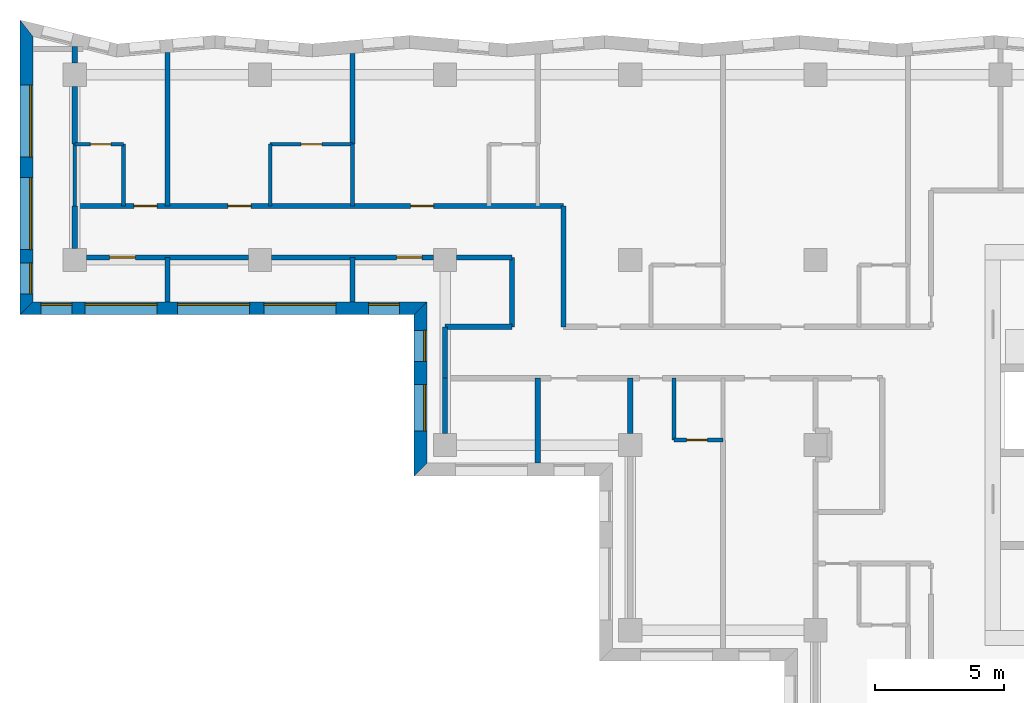
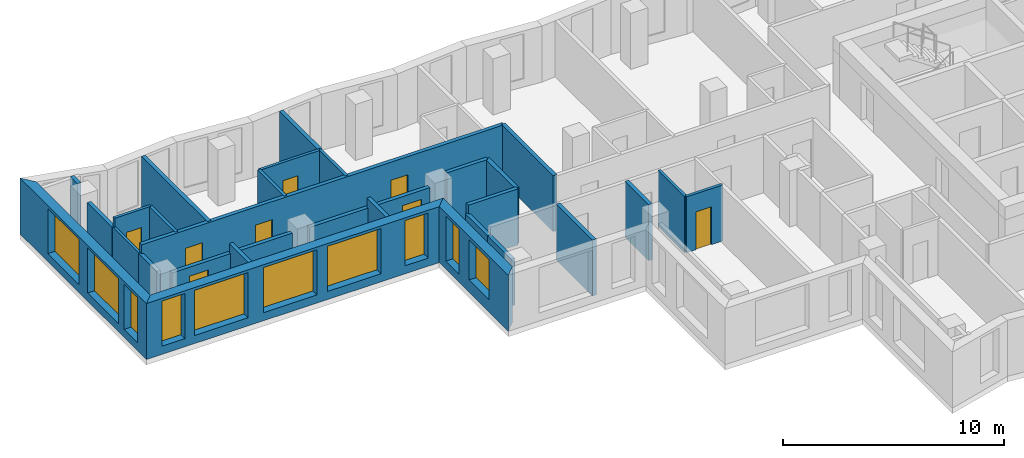
# One storey, part 4 of 12: 29 walls, 10 windows, 8 doors, 18 openings.
"""IFC4 building model written with IfcOpenShell, lengths in metres."""

from ifc_helpers import new_model, si_unit, direction, frame, frame_2d, origin, place, context, subcontext, project, spatial, polyline, rectangle, outline, extrude, material, layer, layer_set, type_object, element, fill, save


model = new_model("IFC4")

# Units and contexts
model_context = context("Model", 3, precision=1e-05, world=origin(), true_north=direction((0.0, 1.0)))
body_context = subcontext(model_context, "Body", "Model", "MODEL_VIEW")
ifc_project = project(units=[si_unit("LENGTHUNIT", "METRE"), si_unit("AREAUNIT", "SQUARE_METRE"), si_unit("VOLUMEUNIT", "CUBIC_METRE"), si_unit("PLANEANGLEUNIT", "RADIAN"), si_unit("MASSUNIT", "GRAM", prefix="KILO")], contexts=[model_context])

# Site, building, storey
site_placement = place(None, origin())
site = spatial("IfcSite", under=ifc_project, at=site_placement, CompositionType="ELEMENT")
building_placement = place(site_placement, origin())
building = spatial("IfcBuilding", under=site, at=building_placement, Name="Windrow Commons", CompositionType="ELEMENT")
storey_placement = place(building_placement, frame((0.0, 0.0, 138.8)))
storey = spatial("IfcBuildingStorey", under=building, at=storey_placement, Name="L37", CompositionType="ELEMENT", Elevation=138.8)

# Wall, openings, windows
ifc_material_1 = material(Name="Brick masonry, red clay brick", Category="masonry")
ifc_layer_1 = layer(ifc_material_1, 0.5)
ifc_layer_set_1 = layer_set([ifc_layer_1], Name="Brick facade wall 500")
wall_type_1 = type_object("IfcWallType", Name="Brick facade wall 500", PredefinedType="SOLIDWALL", material=ifc_layer_set_1)
wall_1_placement = place(storey_placement, frame((19.72, 73.8112, 0.0), z_axis=(0.0, 0.0, 1.0), x_axis=(0.0, -1.0, 0.0)))
wall_1 = element("IfcWall", 1, at=wall_1_placement, inside=storey, type_object=wall_type_1, Name="Brick facade wall L37 35", PredefinedType="SOLIDWALL", context=body_context, shape_type="SweptSolid", body=[
    extrude(outline(polyline([(-0.3188, -0.25), (11.1412, -0.25), (10.6412, 0.25), (0.3188, 0.25), (-0.3188, -0.25)])), origin(), (0.0, 0.0, 1.0), 3.1),
])
opening_1_placement = place(wall_1_placement, frame((2.2112, 0.0, 0.45)))
opening_1 = element("IfcOpeningElement", 2, at=opening_1_placement, cuts=wall_1, Name="Opening W1U", PredefinedType="OPENING", context=body_context, shape_type="SweptSolid", body=[
    extrude(rectangle(XDim=2.8, YDim=2.5, at=frame_2d((1.4, 1.25))), frame((0.0, 0.26, 0.0), z_axis=(0.0, -1.0, 0.0), x_axis=(1.0, 0.0, 0.0)), (0.0, 0.0, 1.0), 0.52),
])
opening_2_placement = place(wall_1_placement, frame((5.8112, 0.0, 0.45)))
opening_2 = element("IfcOpeningElement", 3, at=opening_2_placement, cuts=wall_1, Name="Opening W1U", PredefinedType="OPENING", context=body_context, shape_type="SweptSolid", body=[
    extrude(rectangle(XDim=2.8, YDim=2.5, at=frame_2d((1.4, 1.25))), frame((0.0, 0.26, 0.0), z_axis=(0.0, -1.0, 0.0), x_axis=(1.0, 0.0, 0.0)), (0.0, 0.0, 1.0), 0.52),
])
opening_3_placement = place(wall_1_placement, frame((9.1262, 0.0, 0.45)))
opening_3 = element("IfcOpeningElement", 4, at=opening_3_placement, cuts=wall_1, Name="Opening W7E", PredefinedType="OPENING", context=body_context, shape_type="SweptSolid", body=[
    extrude(rectangle(XDim=1.2, YDim=2.5, at=frame_2d((0.6, 1.25))), frame((0.0, 0.26, 0.0), z_axis=(0.0, -1.0, 0.0), x_axis=(1.0, 0.0, 0.0)), (0.0, 0.0, 1.0), 0.52),
])
ifc_material_2 = material(Name="Clear float glass in anodised aluminium frame", Category="aluminium")
window_type_1 = type_object("IfcWindowType", Name="Window W1U bedroom 2800x2500", PartitioningType="SINGLE_PANEL", PredefinedType="WINDOW", material=ifc_material_2)
window_1_placement = place(opening_1_placement, origin())
window_1 = element("IfcWindow", 5, at=window_1_placement, inside=storey, type_object=window_type_1, Name="Window L37 35.1", OverallHeight=2.5, OverallWidth=2.8, PartitioningType="SINGLE_PANEL", PredefinedType="WINDOW", context=body_context, shape_type="SweptSolid", body=[
    extrude(rectangle(XDim=2.8, YDim=2.5, at=frame_2d((1.4, 1.25))), frame((0.0, 0.18, 0.0), z_axis=(0.0, -1.0, 0.0), x_axis=(1.0, 0.0, 0.0)), (0.0, 0.0, 1.0), 0.06),
])
fill(opening_1, window_1)
window_2_placement = place(opening_2_placement, origin())
window_2 = element("IfcWindow", 6, at=window_2_placement, inside=storey, type_object=window_type_1, Name="Window L37 35.2", OverallHeight=2.5, OverallWidth=2.8, PartitioningType="SINGLE_PANEL", PredefinedType="WINDOW", context=body_context, shape_type="SweptSolid", body=[
    extrude(rectangle(XDim=2.8, YDim=2.5, at=frame_2d((1.4, 1.25))), frame((0.0, 0.18, 0.0), z_axis=(0.0, -1.0, 0.0), x_axis=(1.0, 0.0, 0.0)), (0.0, 0.0, 1.0), 0.06),
])
fill(opening_2, window_2)
ifc_material_3 = material(Name="Clear float glass in anodised aluminium frame", Category="aluminium")
window_type_2 = type_object("IfcWindowType", Name="Window W7 notch 1200x2500", PartitioningType="SINGLE_PANEL", PredefinedType="WINDOW", material=ifc_material_3)
window_3_placement = place(opening_3_placement, origin())
window_3 = element("IfcWindow", 7, at=window_3_placement, inside=storey, type_object=window_type_2, Name="Window L37 35.3", OverallHeight=2.5, OverallWidth=1.2, PartitioningType="SINGLE_PANEL", PredefinedType="WINDOW", context=body_context, shape_type="SweptSolid", body=[
    extrude(rectangle(XDim=1.2, YDim=2.5, at=frame_2d((0.6, 1.25))), frame((0.0, 0.18, 0.0), z_axis=(0.0, -1.0, 0.0), x_axis=(1.0, 0.0, 0.0)), (0.0, 0.0, 1.0), 0.06),
])
fill(opening_3, window_3)

wall_2_placement = place(storey_placement, frame((19.72, 62.92, 0.0), z_axis=(0.0, 0.0, 1.0), x_axis=(1.0, 0.0, 0.0)))
wall_2 = element("IfcWall", 8, at=wall_2_placement, inside=storey, type_object=wall_type_1, Name="Brick facade wall L37 36", PredefinedType="SOLIDWALL", context=body_context, shape_type="SweptSolid", body=[
    extrude(outline(polyline([(-0.25, -0.25), (15.08, -0.25), (15.58, 0.25), (0.25, 0.25), (-0.25, -0.25)])), origin(), (0.0, 0.0, 1.0), 3.1),
])
opening_4_placement = place(wall_2_placement, frame((2.28, 0.0, 0.45)))
opening_4 = element("IfcOpeningElement", 9, at=opening_4_placement, cuts=wall_2, Name="Opening W1U", PredefinedType="OPENING", context=body_context, shape_type="SweptSolid", body=[
    extrude(rectangle(XDim=2.8, YDim=2.5, at=frame_2d((1.4, 1.25))), frame((0.0, 0.26, 0.0), z_axis=(0.0, -1.0, 0.0), x_axis=(1.0, 0.0, 0.0)), (0.0, 0.0, 1.0), 0.52),
])
opening_5_placement = place(wall_2_placement, frame((5.88, 0.0, 0.45)))
opening_5 = element("IfcOpeningElement", 10, at=opening_5_placement, cuts=wall_2, Name="Opening W1U", PredefinedType="OPENING", context=body_context, shape_type="SweptSolid", body=[
    extrude(rectangle(XDim=2.8, YDim=2.5, at=frame_2d((1.4, 1.25))), frame((0.0, 0.26, 0.0), z_axis=(0.0, -1.0, 0.0), x_axis=(1.0, 0.0, 0.0)), (0.0, 0.0, 1.0), 0.52),
])
opening_6_placement = place(wall_2_placement, frame((9.23, 0.0, 0.45)))
opening_6 = element("IfcOpeningElement", 11, at=opening_6_placement, cuts=wall_2, Name="Opening W1U", PredefinedType="OPENING", context=body_context, shape_type="SweptSolid", body=[
    extrude(rectangle(XDim=2.8, YDim=2.5, at=frame_2d((1.4, 1.25))), frame((0.0, 0.26, 0.0), z_axis=(0.0, -1.0, 0.0), x_axis=(1.0, 0.0, 0.0)), (0.0, 0.0, 1.0), 0.52),
])
opening_7_placement = place(wall_2_placement, frame((0.565, 0.0, 0.45)))
opening_7 = element("IfcOpeningElement", 12, at=opening_7_placement, cuts=wall_2, Name="Opening W7E", PredefinedType="OPENING", context=body_context, shape_type="SweptSolid", body=[
    extrude(rectangle(XDim=1.2, YDim=2.5, at=frame_2d((0.6, 1.25))), frame((0.0, 0.26, 0.0), z_axis=(0.0, -1.0, 0.0), x_axis=(1.0, 0.0, 0.0)), (0.0, 0.0, 1.0), 0.52),
])
opening_8_placement = place(wall_2_placement, frame((13.305, 0.0, 0.45)))
opening_8 = element("IfcOpeningElement", 13, at=opening_8_placement, cuts=wall_2, Name="Opening W7E", PredefinedType="OPENING", context=body_context, shape_type="SweptSolid", body=[
    extrude(rectangle(XDim=1.2, YDim=2.5, at=frame_2d((0.6, 1.25))), frame((0.0, 0.26, 0.0), z_axis=(0.0, -1.0, 0.0), x_axis=(1.0, 0.0, 0.0)), (0.0, 0.0, 1.0), 0.52),
])
window_4_placement = place(opening_4_placement, origin())
window_4 = element("IfcWindow", 14, at=window_4_placement, inside=storey, type_object=window_type_1, Name="Window L37 36.1", OverallHeight=2.5, OverallWidth=2.8, PartitioningType="SINGLE_PANEL", PredefinedType="WINDOW", context=body_context, shape_type="SweptSolid", body=[
    extrude(rectangle(XDim=2.8, YDim=2.5, at=frame_2d((1.4, 1.25))), frame((0.0, 0.18, 0.0), z_axis=(0.0, -1.0, 0.0), x_axis=(1.0, 0.0, 0.0)), (0.0, 0.0, 1.0), 0.06),
])
fill(opening_4, window_4)
window_5_placement = place(opening_5_placement, origin())
window_5 = element("IfcWindow", 15, at=window_5_placement, inside=storey, type_object=window_type_1, Name="Window L37 36.2", OverallHeight=2.5, OverallWidth=2.8, PartitioningType="SINGLE_PANEL", PredefinedType="WINDOW", context=body_context, shape_type="SweptSolid", body=[
    extrude(rectangle(XDim=2.8, YDim=2.5, at=frame_2d((1.4, 1.25))), frame((0.0, 0.18, 0.0), z_axis=(0.0, -1.0, 0.0), x_axis=(1.0, 0.0, 0.0)), (0.0, 0.0, 1.0), 0.06),
])
fill(opening_5, window_5)
window_6_placement = place(opening_6_placement, origin())
window_6 = element("IfcWindow", 16, at=window_6_placement, inside=storey, type_object=window_type_1, Name="Window L37 36.3", OverallHeight=2.5, OverallWidth=2.8, PartitioningType="SINGLE_PANEL", PredefinedType="WINDOW", context=body_context, shape_type="SweptSolid", body=[
    extrude(rectangle(XDim=2.8, YDim=2.5, at=frame_2d((1.4, 1.25))), frame((0.0, 0.18, 0.0), z_axis=(0.0, -1.0, 0.0), x_axis=(1.0, 0.0, 0.0)), (0.0, 0.0, 1.0), 0.06),
])
fill(opening_6, window_6)
window_7_placement = place(opening_7_placement, origin())
window_7 = element("IfcWindow", 17, at=window_7_placement, inside=storey, type_object=window_type_2, Name="Window L37 36.4", OverallHeight=2.5, OverallWidth=1.2, PartitioningType="SINGLE_PANEL", PredefinedType="WINDOW", context=body_context, shape_type="SweptSolid", body=[
    extrude(rectangle(XDim=1.2, YDim=2.5, at=frame_2d((0.6, 1.25))), frame((0.0, 0.18, 0.0), z_axis=(0.0, -1.0, 0.0), x_axis=(1.0, 0.0, 0.0)), (0.0, 0.0, 1.0), 0.06),
])
fill(opening_7, window_7)
window_8_placement = place(opening_8_placement, origin())
window_8 = element("IfcWindow", 18, at=window_8_placement, inside=storey, type_object=window_type_2, Name="Window L37 36.5", OverallHeight=2.5, OverallWidth=1.2, PartitioningType="SINGLE_PANEL", PredefinedType="WINDOW", context=body_context, shape_type="SweptSolid", body=[
    extrude(rectangle(XDim=1.2, YDim=2.5, at=frame_2d((0.6, 1.25))), frame((0.0, 0.18, 0.0), z_axis=(0.0, -1.0, 0.0), x_axis=(1.0, 0.0, 0.0)), (0.0, 0.0, 1.0), 0.06),
])
fill(opening_8, window_8)

wall_3_placement = place(storey_placement, frame((35.05, 62.92, 0.0), z_axis=(0.0, 0.0, 1.0), x_axis=(0.0, -1.0, 0.0)))
wall_3 = element("IfcWall", 19, at=wall_3_placement, inside=storey, type_object=wall_type_1, Name="Brick facade wall L37 37", PredefinedType="SOLIDWALL", context=body_context, shape_type="SweptSolid", body=[
    extrude(outline(polyline([(0.25, -0.25), (6.52, -0.25), (6.02, 0.25), (-0.25, 0.25), (0.25, -0.25)])), origin(), (0.0, 0.0, 1.0), 3.1),
])
opening_9_placement = place(wall_3_placement, frame((0.86, 0.0, 0.45)))
opening_9 = element("IfcOpeningElement", 20, at=opening_9_placement, cuts=wall_3, Name="Opening W7E", PredefinedType="OPENING", context=body_context, shape_type="SweptSolid", body=[
    extrude(rectangle(XDim=1.2, YDim=2.5, at=frame_2d((0.6, 1.25))), frame((0.0, 0.26, 0.0), z_axis=(0.0, -1.0, 0.0), x_axis=(1.0, 0.0, 0.0)), (0.0, 0.0, 1.0), 0.52),
])
opening_10_placement = place(wall_3_placement, frame((2.97, 0.0, 0.7)))
opening_10 = element("IfcOpeningElement", 21, at=opening_10_placement, cuts=wall_3, Name="Opening W6", PredefinedType="OPENING", context=body_context, shape_type="SweptSolid", body=[
    extrude(rectangle(XDim=1.8, YDim=2.2, at=frame_2d((0.9, 1.1))), frame((0.0, 0.26, 0.0), z_axis=(0.0, -1.0, 0.0), x_axis=(1.0, 0.0, 0.0)), (0.0, 0.0, 1.0), 0.52),
])
ifc_material_4 = material(Name="Clear float glass in anodised aluminium frame", Category="aluminium")
window_type_3 = type_object("IfcWindowType", Name="Window W6 crown 1800x2200", PartitioningType="SINGLE_PANEL", PredefinedType="WINDOW", material=ifc_material_4)
window_9_placement = place(opening_10_placement, origin())
window_9 = element("IfcWindow", 22, at=window_9_placement, inside=storey, type_object=window_type_3, Name="Window L37 37.1A", OverallHeight=2.2, OverallWidth=1.8, PartitioningType="SINGLE_PANEL", PredefinedType="WINDOW", context=body_context, shape_type="SweptSolid", body=[
    extrude(rectangle(XDim=1.8, YDim=2.2, at=frame_2d((0.9, 1.1))), frame((0.0, 0.18, 0.0), z_axis=(0.0, -1.0, 0.0), x_axis=(1.0, 0.0, 0.0)), (0.0, 0.0, 1.0), 0.06),
])
fill(opening_10, window_9)
window_10_placement = place(opening_9_placement, origin())
window_10 = element("IfcWindow", 23, at=window_10_placement, inside=storey, type_object=window_type_2, Name="Window L37 37.2", OverallHeight=2.5, OverallWidth=1.2, PartitioningType="SINGLE_PANEL", PredefinedType="WINDOW", context=body_context, shape_type="SweptSolid", body=[
    extrude(rectangle(XDim=1.2, YDim=2.5, at=frame_2d((0.6, 1.25))), frame((0.0, 0.18, 0.0), z_axis=(0.0, -1.0, 0.0), x_axis=(1.0, 0.0, 0.0)), (0.0, 0.0, 1.0), 0.06),
])
fill(opening_9, window_10)

# Wall, openings, doors
ifc_material_5 = material(Name="Blockwork partition", Category="masonry")
ifc_layer_2 = layer(ifc_material_5, 0.2)
ifc_layer_set_2 = layer_set([ifc_layer_2], Name="IW-CORRIDOR-200")
wall_type_2 = type_object("IfcWallType", Name="IW-CORRIDOR-200", PredefinedType="PARTITIONING", material=ifc_layer_set_2)
wall_4_placement = place(storey_placement, frame((21.6, 66.9, 0.0), z_axis=(0.0, 0.0, 1.0), x_axis=(1.0, 0.0, 0.0)))
wall_4 = element("IfcWall", 24, at=wall_4_placement, inside=storey, type_object=wall_type_2, Name="W-L37-W002", PredefinedType="PARTITIONING", context=body_context, shape_type="SweptSolid", body=[
    extrude(rectangle(XDim=19.0, YDim=0.2, at=frame_2d((9.5, 0.0))), origin(), (0.0, 0.0, 1.0), 3.1),
])
opening_11_placement = place(wall_4_placement, frame((2.3, 0.0, 0.0)))
opening_11 = element("IfcOpeningElement", 25, at=opening_11_placement, cuts=wall_4, Name="Opening D109S", PredefinedType="OPENING", context=body_context, shape_type="SweptSolid", body=[
    extrude(rectangle(XDim=0.9, YDim=2.1, at=frame_2d((0.45, 1.05))), frame((0.0, 0.11, 0.0), z_axis=(0.0, -1.0, 0.0), x_axis=(1.0, 0.0, 0.0)), (0.0, 0.0, 1.0), 0.22),
])
opening_12_placement = place(wall_4_placement, frame((5.957, 0.0, 0.0)))
opening_12 = element("IfcOpeningElement", 26, at=opening_12_placement, cuts=wall_4, Name="Opening D109F", PredefinedType="OPENING", context=body_context, shape_type="SweptSolid", body=[
    extrude(rectangle(XDim=0.9, YDim=2.1, at=frame_2d((0.45, 1.05))), frame((0.0, 0.11, 0.0), z_axis=(0.0, -1.0, 0.0), x_axis=(1.0, 0.0, 0.0)), (0.0, 0.0, 1.0), 0.22),
])
opening_13_placement = place(wall_4_placement, frame((13.0566, 0.0, 0.0)))
opening_13 = element("IfcOpeningElement", 27, at=opening_13_placement, cuts=wall_4, Name="Opening D109F", PredefinedType="OPENING", context=body_context, shape_type="SweptSolid", body=[
    extrude(rectangle(XDim=0.9, YDim=2.1, at=frame_2d((0.45, 1.05))), frame((0.0, 0.11, 0.0), z_axis=(0.0, -1.0, 0.0), x_axis=(1.0, 0.0, 0.0)), (0.0, 0.0, 1.0), 0.22),
])
ifc_material_6 = material(Name="Timber door leaf", Category="wood")
door_type_1 = type_object("IfcDoorType", Name="DT-BEDROOM-900", OperationType="SINGLE_SWING_LEFT", PredefinedType="DOOR", material=ifc_material_6)
door_1_placement = place(opening_11_placement, origin())
door_1 = element("IfcDoor", 28, at=door_1_placement, inside=storey, type_object=door_type_1, Name="D-L37-D003", OperationType="SINGLE_SWING_RIGHT", OverallHeight=2.1, OverallWidth=0.9, PredefinedType="DOOR", context=body_context, shape_type="SweptSolid", body=[
    extrude(rectangle(XDim=0.9, YDim=2.1, at=frame_2d((0.45, 1.05))), frame((0.0, 0.025, 0.0), z_axis=(0.0, -1.0, 0.0), x_axis=(1.0, 0.0, 0.0)), (0.0, 0.0, 1.0), 0.05),
])
fill(opening_11, door_1)
door_2_placement = place(opening_12_placement, origin())
door_2 = element("IfcDoor", 29, at=door_2_placement, inside=storey, type_object=door_type_1, Name="D-L37-D005", OperationType="SINGLE_SWING_LEFT", OverallHeight=2.1, OverallWidth=0.9, PredefinedType="DOOR", context=body_context, shape_type="SweptSolid", body=[
    extrude(rectangle(XDim=0.9, YDim=2.1, at=frame_2d((0.45, 1.05))), frame((0.0, 0.025, 0.0), z_axis=(0.0, -1.0, 0.0), x_axis=(1.0, 0.0, 0.0)), (0.0, 0.0, 1.0), 0.05),
])
fill(opening_12, door_2)
door_3_placement = place(opening_13_placement, origin())
door_3 = element("IfcDoor", 30, at=door_3_placement, inside=storey, type_object=door_type_1, Name="D-L37-D007", OperationType="SINGLE_SWING_LEFT", OverallHeight=2.1, OverallWidth=0.9, PredefinedType="DOOR", context=body_context, shape_type="SweptSolid", body=[
    extrude(rectangle(XDim=0.9, YDim=2.1, at=frame_2d((0.45, 1.05))), frame((0.0, 0.025, 0.0), z_axis=(0.0, -1.0, 0.0), x_axis=(1.0, 0.0, 0.0)), (0.0, 0.0, 1.0), 0.05),
])
fill(opening_13, door_3)

# Wall, opening, door
wall_5_placement = place(storey_placement, frame((22.05, 64.9, 0.0), z_axis=(0.0, 0.0, 1.0), x_axis=(1.0, 0.0, 0.0)))
wall_5 = element("IfcWall", 31, at=wall_5_placement, inside=storey, type_object=wall_type_2, Name="W-L37-W022", PredefinedType="PARTITIONING", context=body_context, shape_type="SweptSolid", body=[
    extrude(rectangle(XDim=6.3, YDim=0.2, at=frame_2d((3.15, 0.0))), origin(), (0.0, 0.0, 1.0), 2.6),
])
opening_14_placement = place(wall_5_placement, frame((0.9038, 0.0, 0.0)))
opening_14 = element("IfcOpeningElement", 32, at=opening_14_placement, cuts=wall_5, Name="Opening D310F", PredefinedType="OPENING", context=body_context, shape_type="SweptSolid", body=[
    extrude(rectangle(XDim=1.0, YDim=2.1, at=frame_2d((0.5, 1.05))), frame((0.0, 0.11, 0.0), z_axis=(0.0, -1.0, 0.0), x_axis=(1.0, 0.0, 0.0)), (0.0, 0.0, 1.0), 0.22),
])
ifc_material_7 = material(Name="Timber door leaf", Category="wood")
door_type_2 = type_object("IfcDoorType", Name="DT-AMENITY-1000", OperationType="SINGLE_SWING_LEFT", PredefinedType="DOOR", material=ifc_material_7)
door_4_placement = place(opening_14_placement, origin())
door_4 = element("IfcDoor", 33, at=door_4_placement, inside=storey, type_object=door_type_2, Name="D-L37-D002", OperationType="SINGLE_SWING_RIGHT", OverallHeight=2.1, OverallWidth=1.0, PredefinedType="DOOR", context=body_context, shape_type="SweptSolid", body=[
    extrude(rectangle(XDim=1.0, YDim=2.1, at=frame_2d((0.5, 1.05))), frame((0.0, 0.025, 0.0), z_axis=(0.0, -1.0, 0.0), x_axis=(1.0, 0.0, 0.0)), (0.0, 0.0, 1.0), 0.05),
])
fill(opening_14, door_4)

wall_6_placement = place(storey_placement, frame((29.25, 64.9, 0.0), z_axis=(0.0, 0.0, 1.0), x_axis=(1.0, 0.0, 0.0)))
wall_6 = element("IfcWall", 34, at=wall_6_placement, inside=storey, type_object=wall_type_2, Name="W-L37-W023", PredefinedType="PARTITIONING", context=body_context, shape_type="SweptSolid", body=[
    extrude(rectangle(XDim=6.3, YDim=0.2, at=frame_2d((3.15, 0.0))), origin(), (0.0, 0.0, 1.0), 2.6),
])
opening_15_placement = place(wall_6_placement, frame((4.8599, 0.0, 0.0)))
opening_15 = element("IfcOpeningElement", 35, at=opening_15_placement, cuts=wall_6, Name="Opening D310F", PredefinedType="OPENING", context=body_context, shape_type="SweptSolid", body=[
    extrude(rectangle(XDim=1.0, YDim=2.1, at=frame_2d((0.5, 1.05))), frame((0.0, 0.11, 0.0), z_axis=(0.0, -1.0, 0.0), x_axis=(1.0, 0.0, 0.0)), (0.0, 0.0, 1.0), 0.22),
])
door_5_placement = place(opening_15_placement, origin())
door_5 = element("IfcDoor", 36, at=door_5_placement, inside=storey, type_object=door_type_2, Name="D-L37-D010", OperationType="SINGLE_SWING_RIGHT", OverallHeight=2.1, OverallWidth=1.0, PredefinedType="DOOR", context=body_context, shape_type="SweptSolid", body=[
    extrude(rectangle(XDim=1.0, YDim=2.1, at=frame_2d((0.5, 1.05))), frame((0.0, 0.025, 0.0), z_axis=(0.0, -1.0, 0.0), x_axis=(1.0, 0.0, 0.0)), (0.0, 0.0, 1.0), 0.05),
])
fill(opening_15, door_5)

# Walls
wall_7_placement = place(storey_placement, frame((40.6, 62.202, 0.0), z_axis=(0.0, 0.0, 1.0), x_axis=(0.0, 1.0, 0.0)))
element("IfcWall", 37, at=wall_7_placement, inside=storey, type_object=wall_type_2, Name="W-L37-W036", PredefinedType="PARTITIONING", context=body_context, shape_type="SweptSolid", body=[
    extrude(rectangle(XDim=4.696, YDim=0.2, at=frame_2d((2.348, 0.0))), origin(), (0.0, 0.0, 1.0), 3.1),
])
wall_8_placement = place(storey_placement, frame((38.6, 62.202, 0.0), z_axis=(0.0, 0.0, 1.0), x_axis=(0.0, 1.0, 0.0)))
element("IfcWall", 38, at=wall_8_placement, inside=storey, type_object=wall_type_2, Name="W-L37-W055", PredefinedType="PARTITIONING", context=body_context, shape_type="SweptSolid", body=[
    extrude(rectangle(XDim=2.698, YDim=0.2, at=frame_2d((1.349, 0.0))), origin(), (0.0, 0.0, 1.0), 3.1),
])
wall_9_placement = place(storey_placement, frame((36.002, 62.2, 0.0), z_axis=(0.0, 0.0, 1.0), x_axis=(1.0, 0.0, 0.0)))
element("IfcWall", 39, at=wall_9_placement, inside=storey, type_object=wall_type_2, Name="W-L37-W059", PredefinedType="PARTITIONING", context=body_context, shape_type="SweptSolid", body=[
    extrude(rectangle(XDim=2.598, YDim=0.2, at=frame_2d((1.299, 0.0))), origin(), (0.0, 0.0, 1.0), 3.1),
])
wall_10_placement = place(storey_placement, frame((36.45, 64.9, 0.0), z_axis=(0.0, 0.0, 1.0), x_axis=(1.0, 0.0, 0.0)))
element("IfcWall", 40, at=wall_10_placement, inside=storey, type_object=wall_type_2, Name="W-L37-W098", PredefinedType="PARTITIONING", context=body_context, shape_type="SweptSolid", body=[
    extrude(rectangle(XDim=2.15, YDim=0.2, at=frame_2d((1.075, 0.0))), origin(), (0.0, 0.0, 1.0), 3.1),
])
wall_11_placement = place(storey_placement, frame((36.0, 60.2, 0.0), z_axis=(0.0, 0.0, 1.0), x_axis=(0.0, 1.0, 0.0)))
element("IfcWall", 41, at=wall_11_placement, inside=storey, type_object=wall_type_2, Name="W-L37-W107", PredefinedType="PARTITIONING", context=body_context, shape_type="SweptSolid", body=[
    extrude(rectangle(XDim=2.0, YDim=0.2, at=frame_2d((1.0, 0.0))), origin(), (0.0, 0.0, 1.0), 2.6),
])
wall_12_placement = place(storey_placement, frame((21.6, 65.25, 0.0), z_axis=(0.0, 0.0, 1.0), x_axis=(0.0, 1.0, 0.0)))
element("IfcWall", 42, at=wall_12_placement, inside=storey, type_object=wall_type_2, Name="W-L37-W136", PredefinedType="PARTITIONING", context=body_context, shape_type="SweptSolid", body=[
    extrude(rectangle(XDim=1.65, YDim=0.2, at=frame_2d((0.825, 0.0))), origin(), (0.0, 0.0, 1.0), 2.6),
])

# Wall, opening, door
ifc_material_8 = material(Name="Blockwork partition", Category="masonry")
ifc_layer_3 = layer(ifc_material_8, 0.15)
ifc_layer_set_3 = layer_set([ifc_layer_3], Name="IW-ENSUITE-150")
wall_type_3 = type_object("IfcWallType", Name="IW-ENSUITE-150", PredefinedType="PARTITIONING", material=ifc_layer_set_3)
wall_13_placement = place(storey_placement, frame((29.2, 69.3, 0.0), z_axis=(0.0, 0.0, 1.0), x_axis=(1.0, 0.0, 0.0)))
wall_13 = element("IfcWall", 43, at=wall_13_placement, inside=storey, type_object=wall_type_3, Name="W-L37-W051", PredefinedType="PARTITIONING", context=body_context, shape_type="SweptSolid", body=[
    extrude(rectangle(XDim=3.2, YDim=0.15, at=frame_2d((1.6, 0.0))), origin(), (0.0, 0.0, 1.0), 3.1),
])
opening_16_placement = place(wall_13_placement, frame((1.2042, 0.0, 0.0)))
opening_16 = element("IfcOpeningElement", 44, at=opening_16_placement, cuts=wall_13, Name="Opening D208N", PredefinedType="OPENING", context=body_context, shape_type="SweptSolid", body=[
    extrude(rectangle(XDim=0.8, YDim=2.1, at=frame_2d((0.4, 1.05))), frame((0.0, 0.085, 0.0), z_axis=(0.0, -1.0, 0.0), x_axis=(1.0, 0.0, 0.0)), (0.0, 0.0, 1.0), 0.17),
])
ifc_material_9 = material(Name="Timber door leaf", Category="wood")
door_type_3 = type_object("IfcDoorType", Name="DT-ENSUITE-800", OperationType="SINGLE_SWING_LEFT", PredefinedType="DOOR", material=ifc_material_9)
door_6_placement = place(opening_16_placement, origin())
door_6 = element("IfcDoor", 45, at=door_6_placement, inside=storey, type_object=door_type_3, Name="D-L37-D006", OperationType="SINGLE_SWING_RIGHT", OverallHeight=2.1, OverallWidth=0.8, PredefinedType="DOOR", context=body_context, shape_type="SweptSolid", body=[
    extrude(rectangle(XDim=0.8, YDim=2.1, at=frame_2d((0.4, 1.05))), frame((0.0, 0.025, 0.0), z_axis=(0.0, -1.0, 0.0), x_axis=(1.0, 0.0, 0.0)), (0.0, 0.0, 1.0), 0.05),
])
fill(opening_16, door_6)

# Walls
wall_14_placement = place(storey_placement, frame((44.9, 57.8, 0.0), z_axis=(0.0, 0.0, 1.0), x_axis=(0.0, 1.0, 0.0)))
element("IfcWall", 46, at=wall_14_placement, inside=storey, type_object=wall_type_3, Name="W-L37-W065", PredefinedType="PARTITIONING", context=body_context, shape_type="SweptSolid", body=[
    extrude(rectangle(XDim=2.4, YDim=0.15, at=frame_2d((1.2, 0.0))), origin(), (0.0, 0.0, 1.0), 3.1),
])
wall_15_placement = place(storey_placement, frame((21.6, 66.9, 0.0), z_axis=(0.0, 0.0, 1.0), x_axis=(0.0, 1.0, 0.0)))
element("IfcWall", 47, at=wall_15_placement, inside=storey, type_object=wall_type_3, Name="W-L37-W076", PredefinedType="PARTITIONING", context=body_context, shape_type="SweptSolid", body=[
    extrude(rectangle(XDim=2.4, YDim=0.15, at=frame_2d((1.2, 0.0))), origin(), (0.0, 0.0, 1.0), 2.6),
])
for number, where, z_axis, x_axis, name in (
    (48, (23.5, 66.9, 0.0), (0.0, 0.0, 1.0), (0.0, 1.0, 0.0), "W-L37-W077"),
    (49, (29.2, 66.9, 0.0), (0.0, 0.0, 1.0), (0.0, 1.0, 0.0), "W-L37-W078"),
    (50, (32.4, 66.9, 0.0), (0.0, 0.0, 1.0), (0.0, 1.0, 0.0), "W-L37-W079"),
):
    element("IfcWall", number, at=place(storey_placement, frame(where, z_axis=z_axis, x_axis=x_axis)), inside=storey, type_object=wall_type_3, Name=name, PredefinedType="PARTITIONING", context=body_context, shape_type="SweptSolid", body=[
        extrude(rectangle(XDim=2.4, YDim=0.15, at=frame_2d((1.2, 0.0))), origin(), (0.0, 0.0, 1.0), 3.1),
    ])

# Wall, opening, door
wall_16_placement = place(storey_placement, frame((21.6, 69.3, 0.0), z_axis=(0.0, 0.0, 1.0), x_axis=(1.0, 0.0, 0.0)))
wall_16 = element("IfcWall", 51, at=wall_16_placement, inside=storey, type_object=wall_type_3, Name="W-L37-W121", PredefinedType="PARTITIONING", context=body_context, shape_type="SweptSolid", body=[
    extrude(rectangle(XDim=1.9, YDim=0.15, at=frame_2d((0.95, 0.0))), origin(), (0.0, 0.0, 1.0), 3.1),
])
opening_17_placement = place(wall_16_placement, frame((0.6069, 0.0, 0.0)))
opening_17 = element("IfcOpeningElement", 52, at=opening_17_placement, cuts=wall_16, Name="Opening D208N", PredefinedType="OPENING", context=body_context, shape_type="SweptSolid", body=[
    extrude(rectangle(XDim=0.8, YDim=2.1, at=frame_2d((0.4, 1.05))), frame((0.0, 0.085, 0.0), z_axis=(0.0, -1.0, 0.0), x_axis=(1.0, 0.0, 0.0)), (0.0, 0.0, 1.0), 0.17),
])
door_7_placement = place(opening_17_placement, origin())
door_7 = element("IfcDoor", 53, at=door_7_placement, inside=storey, type_object=door_type_3, Name="D-L37-D004", OperationType="SINGLE_SWING_RIGHT", OverallHeight=2.1, OverallWidth=0.8, PredefinedType="DOOR", context=body_context, shape_type="SweptSolid", body=[
    extrude(rectangle(XDim=0.8, YDim=2.1, at=frame_2d((0.4, 1.05))), frame((0.0, 0.025, 0.0), z_axis=(0.0, -1.0, 0.0), x_axis=(1.0, 0.0, 0.0)), (0.0, 0.0, 1.0), 0.05),
])
fill(opening_17, door_7)

wall_17_placement = place(storey_placement, frame((44.9, 57.8, 0.0), z_axis=(0.0, 0.0, 1.0), x_axis=(1.0, 0.0, 0.0)))
wall_17 = element("IfcWall", 54, at=wall_17_placement, inside=storey, type_object=wall_type_3, Name="W-L37-W124", PredefinedType="PARTITIONING", context=body_context, shape_type="SweptSolid", body=[
    extrude(rectangle(XDim=1.9, YDim=0.15, at=frame_2d((0.95, 0.0))), origin(), (0.0, 0.0, 1.0), 3.1),
])
opening_18_placement = place(wall_17_placement, frame((0.4931, 0.0, 0.0)))
opening_18 = element("IfcOpeningElement", 55, at=opening_18_placement, cuts=wall_17, Name="Opening D208N", PredefinedType="OPENING", context=body_context, shape_type="SweptSolid", body=[
    extrude(rectangle(XDim=0.8, YDim=2.1, at=frame_2d((0.4, 1.05))), frame((0.0, 0.085, 0.0), z_axis=(0.0, -1.0, 0.0), x_axis=(1.0, 0.0, 0.0)), (0.0, 0.0, 1.0), 0.17),
])
door_8_placement = place(opening_18_placement, origin())
door_8 = element("IfcDoor", 56, at=door_8_placement, inside=storey, type_object=door_type_3, Name="D-L37-D014", OperationType="SINGLE_SWING_RIGHT", OverallHeight=2.1, OverallWidth=0.8, PredefinedType="DOOR", context=body_context, shape_type="SweptSolid", body=[
    extrude(rectangle(XDim=0.8, YDim=2.1, at=frame_2d((0.4, 1.05))), frame((0.0, 0.025, 0.0), z_axis=(0.0, -1.0, 0.0), x_axis=(1.0, 0.0, 0.0)), (0.0, 0.0, 1.0), 0.05),
])
fill(opening_18, door_8)

# Walls
ifc_material_10 = material(Name="Blockwork partition", Category="masonry")
ifc_layer_4 = layer(ifc_material_10, 0.2)
ifc_layer_set_4 = layer_set([ifc_layer_4], Name="IW-PARTY-200")
wall_type_4 = type_object("IfcWallType", Name="IW-PARTY-200", PredefinedType="PARTITIONING", material=ifc_layer_set_4)
wall_18_placement = place(storey_placement, frame((25.2, 66.9, 0.0), z_axis=(0.0, 0.0, 1.0), x_axis=(0.0, 1.0, 0.0)))
element("IfcWall", 57, at=wall_18_placement, inside=storey, type_object=wall_type_4, Name="W-L37-W028", PredefinedType="PARTITIONING", context=body_context, shape_type="SweptSolid", body=[
    extrude(rectangle(XDim=5.9673, YDim=0.2, at=frame_2d((2.9836, 0.0))), origin(), (0.0, 0.0, 1.0), 3.1),
])
wall_19_placement = place(storey_placement, frame((32.4, 69.3, 0.0), z_axis=(0.0, 0.0, 1.0), x_axis=(0.0, 1.0, 0.0)))
element("IfcWall", 58, at=wall_19_placement, inside=storey, type_object=wall_type_4, Name="W-L37-W047", PredefinedType="PARTITIONING", context=body_context, shape_type="SweptSolid", body=[
    extrude(rectangle(XDim=3.5345, YDim=0.2, at=frame_2d((1.7672, 0.0))), origin(), (0.0, 0.0, 1.0), 3.1),
])
wall_20_placement = place(storey_placement, frame((39.6, 56.9, 0.0), z_axis=(0.0, 0.0, 1.0), x_axis=(0.0, 1.0, 0.0)))
element("IfcWall", 59, at=wall_20_placement, inside=storey, type_object=wall_type_4, Name="W-L37-W050", PredefinedType="PARTITIONING", context=body_context, shape_type="SweptSolid", body=[
    extrude(rectangle(XDim=3.3, YDim=0.2, at=frame_2d((1.65, 0.0))), origin(), (0.0, 0.0, 1.0), 3.1),
])
wall_21_placement = place(storey_placement, frame((21.6, 69.3, 0.0), z_axis=(0.0, 0.0, 1.0), x_axis=(0.0, 1.0, 0.0)))
element("IfcWall", 60, at=wall_21_placement, inside=storey, type_object=wall_type_4, Name="W-L37-W095", PredefinedType="PARTITIONING", context=body_context, shape_type="SweptSolid", body=[
    extrude(rectangle(XDim=2.25, YDim=0.2, at=frame_2d((1.125, 0.0))), origin(), (0.0, 0.0, 1.0), 2.6),
])
wall_22_placement = place(storey_placement, frame((36.0, 58.05, 0.0), z_axis=(0.0, 0.0, 1.0), x_axis=(0.0, 1.0, 0.0)))
element("IfcWall", 61, at=wall_22_placement, inside=storey, type_object=wall_type_4, Name="W-L37-W096", PredefinedType="PARTITIONING", context=body_context, shape_type="SweptSolid", body=[
    extrude(rectangle(XDim=2.15, YDim=0.2, at=frame_2d((1.075, 0.0))), origin(), (0.0, 0.0, 1.0), 2.6),
])
wall_23_placement = place(storey_placement, frame((43.2, 58.05, 0.0), z_axis=(0.0, 0.0, 1.0), x_axis=(0.0, 1.0, 0.0)))
element("IfcWall", 62, at=wall_23_placement, inside=storey, type_object=wall_type_4, Name="W-L37-W097", PredefinedType="PARTITIONING", context=body_context, shape_type="SweptSolid", body=[
    extrude(rectangle(XDim=2.15, YDim=0.2, at=frame_2d((1.075, 0.0))), origin(), (0.0, 0.0, 1.0), 3.1),
])
for number, where, z_axis, x_axis, name in (
    (63, (25.2, 63.17, 0.0), (0.0, 0.0, 1.0), (0.0, 1.0, 0.0), "W-L37-W134"),
    (64, (32.4, 63.17, 0.0), (0.0, 0.0, 1.0), (0.0, 1.0, 0.0), "W-L37-W135"),
):
    element("IfcWall", number, at=place(storey_placement, frame(where, z_axis=z_axis, x_axis=x_axis)), inside=storey, type_object=wall_type_4, Name=name, PredefinedType="PARTITIONING", context=body_context, shape_type="SweptSolid", body=[
        extrude(rectangle(XDim=1.73, YDim=0.2, at=frame_2d((0.865, 0.0))), origin(), (0.0, 0.0, 1.0), 3.1),
    ])
wall_24_placement = place(storey_placement, frame((21.6, 72.45, 0.0), z_axis=(0.0, 0.0, 1.0), x_axis=(0.0, 1.0, 0.0)))
element("IfcWall", 65, at=wall_24_placement, inside=storey, type_object=wall_type_4, Name="W-L37-W160", PredefinedType="PARTITIONING", context=body_context, shape_type="SweptSolid", body=[
    extrude(rectangle(XDim=0.6422, YDim=0.2, at=frame_2d((0.3211, 0.0))), origin(), (0.0, 0.0, 1.0), 3.1),
])

save(model, "model.ifc")
